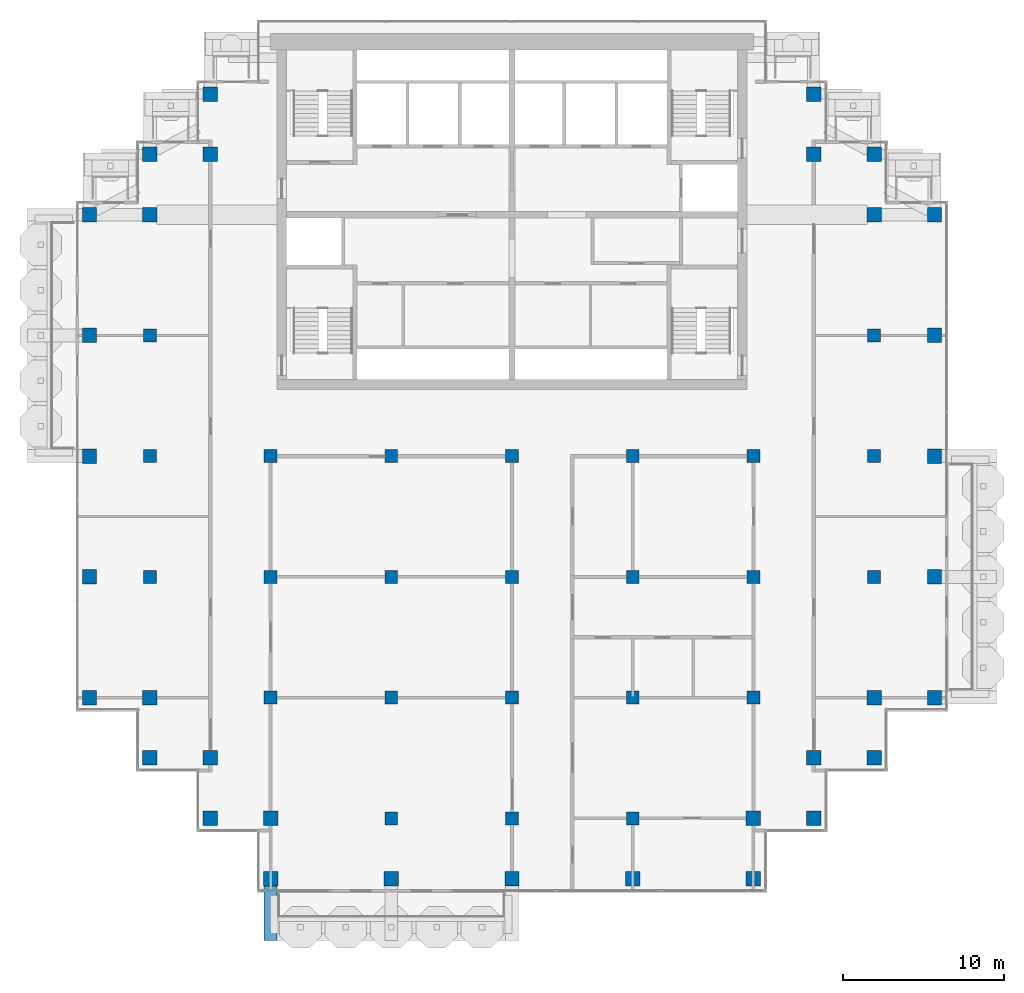
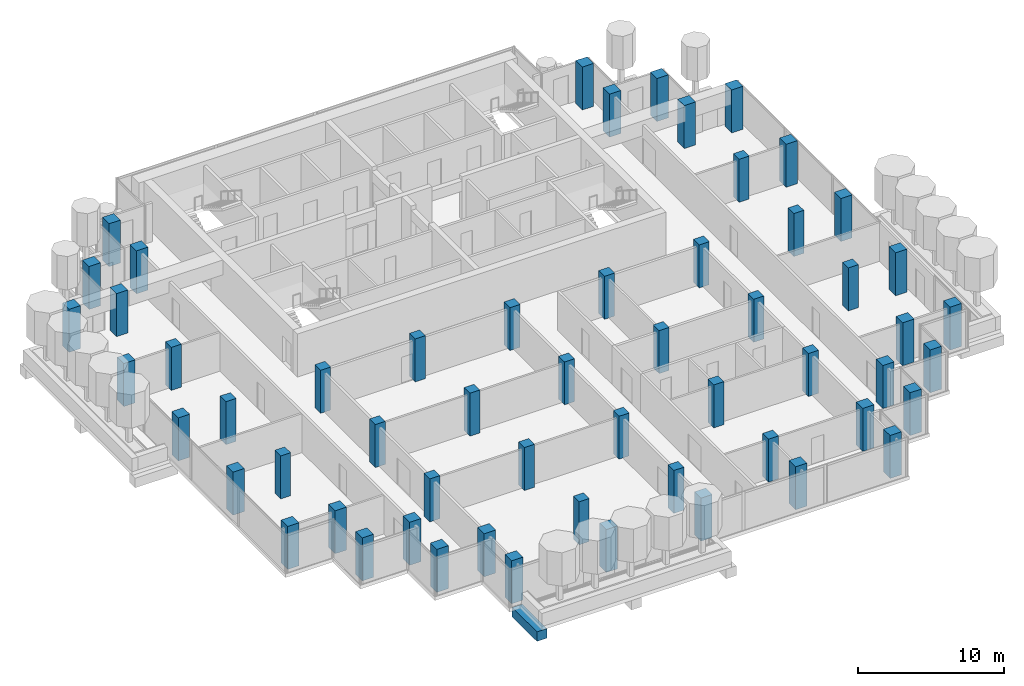
# One storey, part 1 of 18: 57 columns, 1 beam.
"""IFC4 building model written with IfcOpenShell, lengths in metres."""

from ifc_helpers import new_model, si_unit, direction, frame, origin, origin_2d, place, context, subcontext, project, spatial, rectangle, extrude, material, material_profile, profile_set, type_object, element, save


model = new_model("IFC4")

# Units and contexts
model_context = context("Model", 3, precision=1e-05, world=origin(), true_north=direction((0.0, 1.0)))
body_context = subcontext(model_context, "Body", "Model", "MODEL_VIEW")
ifc_project = project(units=[si_unit("LENGTHUNIT", "METRE"), si_unit("AREAUNIT", "SQUARE_METRE"), si_unit("VOLUMEUNIT", "CUBIC_METRE"), si_unit("PLANEANGLEUNIT", "RADIAN"), si_unit("MASSUNIT", "GRAM", prefix="KILO")], contexts=[model_context])

# Site, building, storey
site_placement = place(None, origin())
site = spatial("IfcSite", under=ifc_project, at=site_placement, CompositionType="ELEMENT")
building_placement = place(site_placement, origin())
building = spatial("IfcBuilding", under=site, at=building_placement, Name="Pilkhan Gate Tower", CompositionType="ELEMENT")
storey_placement = place(building_placement, frame((0.0, 0.0, 249.89990234375)))
storey = spatial("IfcBuildingStorey", under=building, at=storey_placement, Name="L65", CompositionType="ELEMENT", Elevation=249.89990234375)

# Columns
ifc_material = material(Name="Concrete C50/60", Category="concrete")
ifc_material_profile_1 = material_profile(ifc_material, rectangle(XDim=0.800048828125, YDim=0.800048828125, at=origin_2d()), Name="RC 800x800")
ifc_profile_set_1 = profile_set([ifc_material_profile_1], Name="Concrete C50/60")
column_type_1 = type_object("IfcColumnType", Name="Column C80 RC 800x800 C50/60", PredefinedType="COLUMN", material=ifc_profile_set_1)
for number, where, z_axis, x_axis, name in (
    (1, (52.5, 60.0, 0.0), (0.0, 0.0, 1.0), (1.0, 0.0, 0.0), "Column 5/F L65"),
    (2, (52.5, 67.5, 0.0), (0.0, 0.0, 1.0), (1.0, 0.0, 0.0), "Column 5/H L65"),
    (3, (52.5, 75.0, 0.0), (0.0, 0.0, 1.0), (1.0, 0.0, 0.0), "Column 5/K L65"),
    (4, (60.0, 52.5, 0.0), (0.0, 0.0, 1.0), (1.0, 0.0, 0.0), "Column 7/D L65"),
    (5, (60.0, 60.0, 0.0), (0.0, 0.0, 1.0), (1.0, 0.0, 0.0), "Column 7/F L65"),
    (6, (60.0, 67.5, 0.0), (0.0, 0.0, 1.0), (1.0, 0.0, 0.0), "Column 7/H L65"),
    (7, (67.5, 45.0, 0.0), (0.0, 0.0, 1.0), (1.0, 0.0, 0.0), "Column 9/B L65"),
    (8, (67.5, 52.5, 0.0), (0.0, 0.0, 1.0), (1.0, 0.0, 0.0), "Column 9/D L65"),
    (9, (67.5, 60.0, 0.0), (0.0, 0.0, 1.0), (1.0, 0.0, 0.0), "Column 9/F L65"),
    (10, (67.5, 67.5, 0.0), (0.0, 0.0, 1.0), (1.0, 0.0, 0.0), "Column 9/H L65"),
    (11, (75.0, 45.0, 0.0), (0.0, 0.0, 1.0), (1.0, 0.0, 0.0), "Column 11/B L65"),
    (12, (75.0, 52.5, 0.0), (0.0, 0.0, 1.0), (1.0, 0.0, 0.0), "Column 11/D L65"),
    (13, (75.0, 60.0, 0.0), (0.0, 0.0, 1.0), (1.0, 0.0, 0.0), "Column 11/F L65"),
    (14, (75.0, 67.5, 0.0), (0.0, 0.0, 1.0), (1.0, 0.0, 0.0), "Column 11/H L65"),
    (15, (82.5, 45.0, 0.0), (0.0, 0.0, 1.0), (1.0, 0.0, 0.0), "Column 13/B L65"),
    (16, (82.5, 52.5, 0.0), (0.0, 0.0, 1.0), (1.0, 0.0, 0.0), "Column 13/D L65"),
    (17, (82.5, 60.0, 0.0), (0.0, 0.0, 1.0), (1.0, 0.0, 0.0), "Column 13/F L65"),
    (18, (82.5, 67.5, 0.0), (0.0, 0.0, 1.0), (1.0, 0.0, 0.0), "Column 13/H L65"),
    (19, (90.0, 52.5, 0.0), (0.0, 0.0, 1.0), (1.0, 0.0, 0.0), "Column 15/D L65"),
    (20, (90.0, 60.0, 0.0), (0.0, 0.0, 1.0), (1.0, 0.0, 0.0), "Column 15/F L65"),
    (21, (90.0, 67.5, 0.0), (0.0, 0.0, 1.0), (1.0, 0.0, 0.0), "Column 15/H L65"),
    (22, (97.5, 60.0, 0.0), (0.0, 0.0, 1.0), (1.0, 0.0, 0.0), "Column 17/F L65"),
    (23, (97.5, 67.5, 0.0), (0.0, 0.0, 1.0), (1.0, 0.0, 0.0), "Column 17/H L65"),
    (24, (97.5, 75.0, 0.0), (0.0, 0.0, 1.0), (1.0, 0.0, 0.0), "Column 17/K L65"),
):
    element("IfcColumn", number, at=place(storey_placement, frame(where, z_axis=z_axis, x_axis=x_axis)), inside=storey, type_object=column_type_1, Name=name, PredefinedType="COLUMN", context=body_context, shape_type="SweptSolid", body=[
        extrude(rectangle(XDim=0.800048828125, YDim=0.800048828125, at=origin_2d()), origin(), (0.0, 0.0, 1.0), 3.60009765625),
    ])
ifc_material_profile_2 = material_profile(ifc_material, rectangle(XDim=0.89990234375, YDim=0.89990234375, at=origin_2d()), Name="RC 900x900")
ifc_profile_set_2 = profile_set([ifc_material_profile_2], Name="Concrete C50/60")
column_type_2 = type_object("IfcColumnType", Name="Column C90 RC 900x900 C50/60", PredefinedType="COLUMN", material=ifc_profile_set_2)
for number, where, z_axis, x_axis, name in (
    (25, (48.75, 52.5, 0.0), (0.0, 0.0, 1.0), (1.0, 0.0, 0.0), "Column 4/D L65"),
    (26, (48.75, 60.0, 0.0), (0.0, 0.0, 1.0), (1.0, 0.0, 0.0), "Column 4/F L65"),
    (27, (48.75, 67.5, 0.0), (0.0, 0.0, 1.0), (1.0, 0.0, 0.0), "Column 4/H L65"),
    (28, (48.75, 75.0, 0.0), (0.0, 0.0, 1.0), (1.0, 0.0, 0.0), "Column 4/K L65"),
    (29, (48.75, 82.5, 0.0), (0.0, 0.0, 1.0), (1.0, 0.0, 0.0), "Column 4/M L65"),
    (30, (52.5, 48.75, 0.0), (0.0, 0.0, 1.0), (1.0, 0.0, 0.0), "Column 5/C L65"),
    (31, (52.5, 52.5, 0.0), (0.0, 0.0, 1.0), (1.0, 0.0, 0.0), "Column 5/D L65"),
    (32, (52.5, 82.5, 0.0), (0.0, 0.0, 1.0), (1.0, 0.0, 0.0), "Column 5/M L65"),
    (33, (52.5, 86.25, 0.0), (0.0, 0.0, 1.0), (1.0, 0.0, 0.0), "Column 5/N L65"),
    (34, (56.25, 45.0, 0.0), (0.0, 0.0, 1.0), (1.0, 0.0, 0.0), "Column 6/B L65"),
    (35, (56.25, 48.75, 0.0), (0.0, 0.0, 1.0), (1.0, 0.0, 0.0), "Column 6/C L65"),
    (36, (56.25, 86.25, 0.0), (0.0, 0.0, 1.0), (1.0, 0.0, 0.0), "Column 6/N L65"),
    (37, (56.25, 90.0, 0.0), (0.0, 0.0, 1.0), (1.0, 0.0, 0.0), "Column 6/P L65"),
    (38, (60.0, 41.25, 0.0), (0.0, 0.0, 1.0), (1.0, 0.0, 0.0), "Column 7/A L65"),
    (39, (60.0, 45.0, 0.0), (0.0, 0.0, 1.0), (1.0, 0.0, 0.0), "Column 7/B L65"),
    (40, (67.5, 41.25, 0.0), (0.0, 0.0, 1.0), (1.0, 0.0, 0.0), "Column 9/A L65"),
    (41, (75.0, 41.25, 0.0), (0.0, 0.0, 1.0), (1.0, 0.0, 0.0), "Column 11/A L65"),
    (42, (82.5, 41.25, 0.0), (0.0, 0.0, 1.0), (1.0, 0.0, 0.0), "Column 13/A L65"),
    (43, (90.0, 41.25, 0.0), (0.0, 0.0, 1.0), (1.0, 0.0, 0.0), "Column 15/A L65"),
    (44, (90.0, 45.0, 0.0), (0.0, 0.0, 1.0), (1.0, 0.0, 0.0), "Column 15/B L65"),
    (45, (93.75, 45.0, 0.0), (0.0, 0.0, 1.0), (1.0, 0.0, 0.0), "Column 16/B L65"),
    (46, (93.75, 48.75, 0.0), (0.0, 0.0, 1.0), (1.0, 0.0, 0.0), "Column 16/C L65"),
    (47, (93.75, 86.25, 0.0), (0.0, 0.0, 1.0), (1.0, 0.0, 0.0), "Column 16/N L65"),
    (48, (93.75, 90.0, 0.0), (0.0, 0.0, 1.0), (1.0, 0.0, 0.0), "Column 16/P L65"),
    (49, (97.5, 48.75, 0.0), (0.0, 0.0, 1.0), (1.0, 0.0, 0.0), "Column 17/C L65"),
    (50, (97.5, 52.5, 0.0), (0.0, 0.0, 1.0), (1.0, 0.0, 0.0), "Column 17/D L65"),
    (51, (97.5, 82.5, 0.0), (0.0, 0.0, 1.0), (1.0, 0.0, 0.0), "Column 17/M L65"),
    (52, (97.5, 86.25, 0.0), (0.0, 0.0, 1.0), (1.0, 0.0, 0.0), "Column 17/N L65"),
    (53, (101.25, 52.5, 0.0), (0.0, 0.0, 1.0), (1.0, 0.0, 0.0), "Column 18/D L65"),
    (54, (101.25, 60.0, 0.0), (0.0, 0.0, 1.0), (1.0, 0.0, 0.0), "Column 18/F L65"),
    (55, (101.25, 67.5, 0.0), (0.0, 0.0, 1.0), (1.0, 0.0, 0.0), "Column 18/H L65"),
    (56, (101.25, 75.0, 0.0), (0.0, 0.0, 1.0), (1.0, 0.0, 0.0), "Column 18/K L65"),
    (57, (101.25, 82.5, 0.0), (0.0, 0.0, 1.0), (1.0, 0.0, 0.0), "Column 18/M L65"),
):
    element("IfcColumn", number, at=place(storey_placement, frame(where, z_axis=z_axis, x_axis=x_axis)), inside=storey, type_object=column_type_2, Name=name, PredefinedType="COLUMN", context=body_context, shape_type="SweptSolid", body=[
        extrude(rectangle(XDim=0.89990234375, YDim=0.89990234375, at=origin_2d()), origin(), (0.0, 0.0, 1.0), 3.60009765625),
    ])

# Beam
ifc_material_profile_3 = material_profile(ifc_material, rectangle(XDim=0.800048828125, YDim=0.800048828125, at=origin_2d()), Name="RC 800x800")
ifc_profile_set_3 = profile_set([ifc_material_profile_3], Name="Concrete C50/60")
beam_type = type_object("IfcBeamType", Name="Cantilever beam CB2 RC 800x800 C50/60", PredefinedType="BEAM", material=ifc_profile_set_3)
beam_placement = place(storey_placement, frame((60.0, 40.800048828125, -0.699951171875), z_axis=(0.0, -1.0, 0.0), x_axis=(1.0, 0.0, 0.0)))
element("IfcBeam", 58, at=beam_placement, inside=storey, type_object=beam_type, Name="Balcony beam S.1 L65", PredefinedType="BEAM", context=body_context, shape_type="SweptSolid", body=[
    extrude(rectangle(XDim=0.800048828125, YDim=0.800048828125, at=origin_2d()), origin(), (0.0, 0.0, 1.0), 3.400146484375),
])

save(model, "model.ifc")
